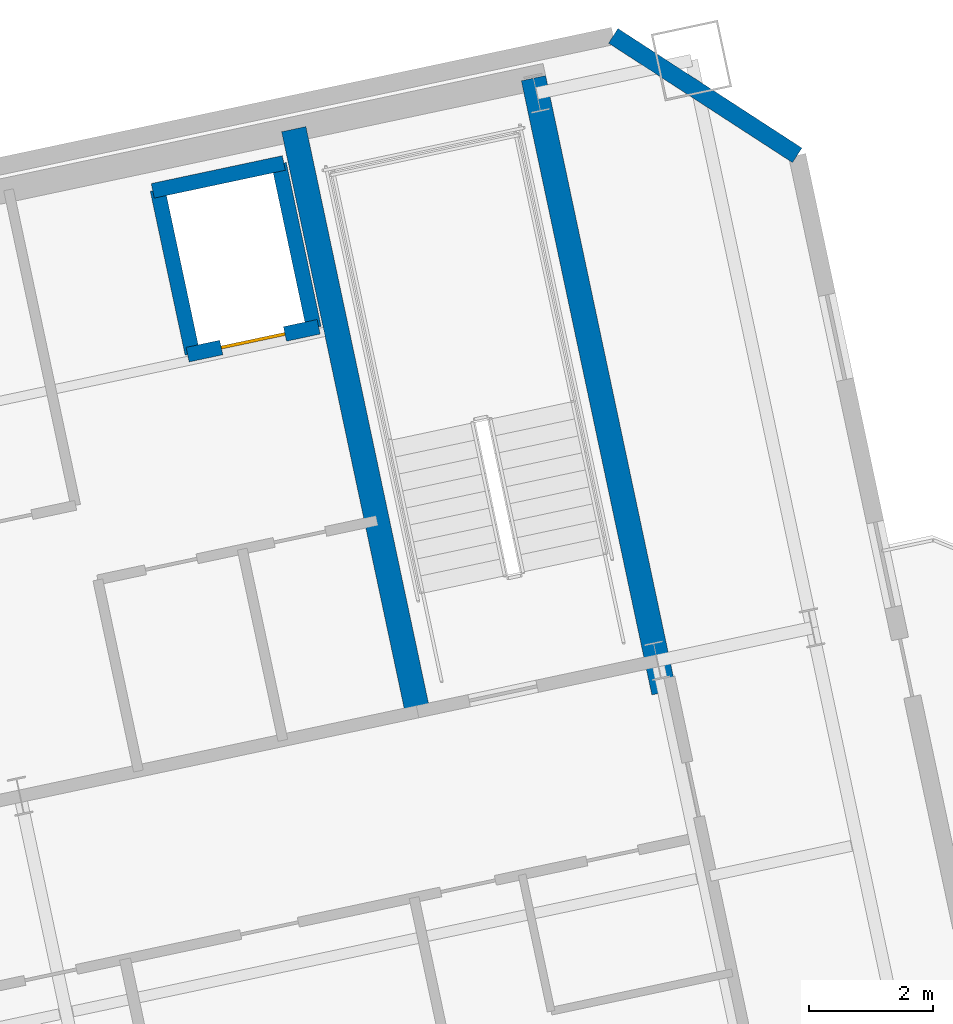
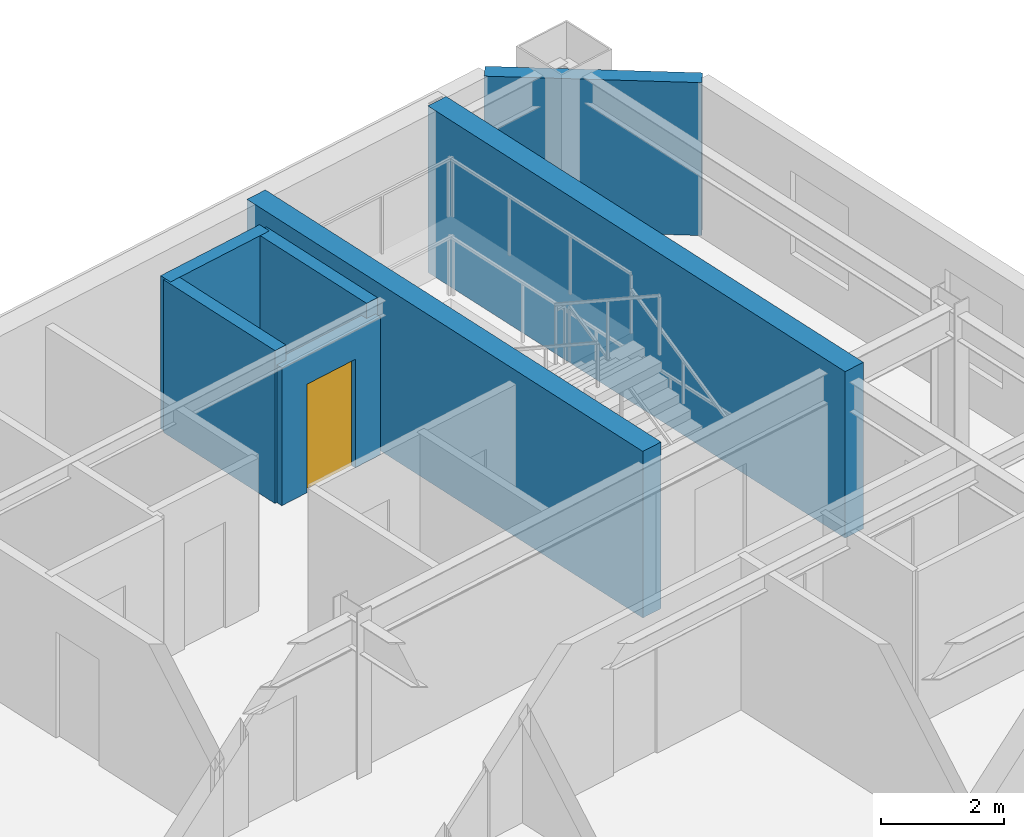
# One storey, part 9 of 14: 7 walls, 1 door, 1 opening.
"""IFC4 building model written with IfcOpenShell, lengths in metres."""

from ifc_helpers import new_model, si_unit, direction, frame, frame_2d, origin, place, context, subcontext, project, spatial, rectangle, extrude, material, layer, layer_set, type_object, element, fill, save


model = new_model("IFC4")

# Units and contexts
model_context = context("Model", 3, precision=1e-05, world=origin(), true_north=direction((0.0, 1.0)))
body_context = subcontext(model_context, "Body", "Model", "MODEL_VIEW")
ifc_project = project(units=[si_unit("LENGTHUNIT", "METRE"), si_unit("AREAUNIT", "SQUARE_METRE"), si_unit("VOLUMEUNIT", "CUBIC_METRE"), si_unit("PLANEANGLEUNIT", "RADIAN"), si_unit("MASSUNIT", "GRAM", prefix="KILO")], contexts=[model_context])

# Site, building, storey
site_placement = place(None, origin())
site = spatial("IfcSite", under=ifc_project, at=site_placement, CompositionType="ELEMENT")
building_placement = place(site_placement, origin())
building = spatial("IfcBuilding", under=site, at=building_placement, Name="Haevon Station Towers", CompositionType="ELEMENT")
storey_placement = place(building_placement, frame((0.0, 0.0, 228.60009765625)))
storey = spatial("IfcBuildingStorey", under=building, at=storey_placement, Name="L63", CompositionType="ELEMENT", Elevation=228.60009765625)

# Walls
ifc_material_1 = material(Name="Concrete C60/75", Category="concrete")
ifc_layer_1 = layer(ifc_material_1, 0.39990234375)
ifc_layer_set_1 = layer_set([ifc_layer_1], Name="Concrete C60/75")
wall_type_1 = type_object("IfcWallType", Name="WL-CR400", PredefinedType="SHEAR", material=ifc_layer_set_1)
wall_1_placement = place(storey_placement, frame((119.401611328125, 41.2998046875, 0.0), z_axis=(0.0, 0.0, 1.0), x_axis=(-0.207904342798, 0.978149162575, 0.0)))
element("IfcWall", 1, at=wall_1_placement, inside=storey, type_object=wall_type_1, Name="WL-T2CR-L63-E", PredefinedType="SHEAR", context=body_context, shape_type="SweptSolid", body=[
    extrude(rectangle(XDim=10.1201171875, YDim=0.39990234375, at=frame_2d((5.06005859375, 0.0))), origin(), (0.0, 0.0, 1.0), 3.2998046875),
])
wall_2_placement = place(storey_placement, frame((115.4296875, 40.9873046875, 0.0), z_axis=(0.0, 0.0, 1.0), x_axis=(-0.207903162969, 0.978149413345, 0.0)))
element("IfcWall", 2, at=wall_2_placement, inside=storey, type_object=wall_type_1, Name="WL-T2CR-L63-M2", PredefinedType="SHEAR", context=body_context, shape_type="SweptSolid", body=[
    extrude(rectangle(XDim=9.599853515625, YDim=0.39990234375, at=frame_2d((4.7998046875, 0.0))), origin(), (0.0, 0.0, 1.0), 3.2998046875),
])
ifc_material_2 = material(Name="Precast concrete C45/55", Category="concrete")
ifc_layer_2 = layer(ifc_material_2, 0.280029296875)
ifc_layer_set_2 = layer_set([ifc_layer_2], Name="Precast concrete C45/55")
wall_type_2 = type_object("IfcWallType", Name="WL-EXT-PIER280", PredefinedType="SOLIDWALL", material=ifc_layer_set_2)
wall_3_placement = place(storey_placement, frame((118.583740234375, 51.881103515625, 0.0), z_axis=(0.0, 0.0, 1.0), x_axis=(0.838672309694, -0.544636352948, 0.0)))
element("IfcWall", 3, at=wall_3_placement, inside=storey, type_object=wall_type_2, Name="WL-T2-L63-NEC", PredefinedType="SOLIDWALL", context=body_context, shape_type="SweptSolid", body=[
    extrude(rectangle(XDim=3.535400390625, YDim=0.280029296875, at=frame_2d((1.767578125, 0.0))), origin(), (0.0, 0.0, 1.0), 3.02978515625),
])

# Wall, opening, door
ifc_material_3 = material(Name="Concrete C40/50", Category="concrete")
ifc_layer_3 = layer(ifc_material_3, 0.239990234375)
ifc_layer_set_3 = layer_set([ifc_layer_3], Name="Concrete C40/50")
wall_type_3 = type_object("IfcWallType", Name="WL-SHF240", PredefinedType="PARTITIONING", material=ifc_layer_set_3)
wall_4_placement = place(storey_placement, frame((111.72216796875, 46.7421875, 0.0), z_axis=(0.0, 0.0, 1.0), x_axis=(0.97813528961, 0.207969601673, 0.0)))
wall_4 = element("IfcWall", 4, at=wall_4_placement, inside=storey, type_object=wall_type_3, Name="WL-SHF-PL10-L63", PredefinedType="PARTITIONING", context=body_context, shape_type="SweptSolid", body=[
    extrude(rectangle(XDim=2.159912109375, YDim=0.239990234375, at=frame_2d((1.080078125, 0.0))), origin(), (0.0, 0.0, 1.0), 2.72998046875),
])
opening_placement = place(wall_4_placement, frame((0.554931640625, 0.0, 0.0)))
opening = element("IfcOpeningElement", 5, at=opening_placement, cuts=wall_4, Name="Opening LD-PL10-L63", PredefinedType="OPENING", context=body_context, shape_type="SweptSolid", body=[
    extrude(rectangle(XDim=1.050048828125, YDim=2.14990234375, at=frame_2d((0.52490234375, 1.074951171875))), frame((0.0, 0.1298828125, 0.0), z_axis=(0.0, -1.0, 0.0), x_axis=(1.0, 0.0, 0.0)), (0.0, 0.0, 1.0), 0.260009765625),
])
ifc_material_4 = material(Name="Stainless steel and rated core", Category="steel")
door_type = type_object("IfcDoorType", Name="LD-PL1050", OperationType="SLIDING_TO_LEFT", PredefinedType="DOOR", material=ifc_material_4)
door_placement = place(opening_placement, origin())
door = element("IfcDoor", 6, at=door_placement, inside=storey, type_object=door_type, Name="L63 Lift PL10 Sliding Landing Door", OperationType="SLIDING_TO_LEFT", OverallHeight=2.14990234375, OverallWidth=1.050048828125, PredefinedType="DOOR", context=body_context, shape_type="SweptSolid", body=[
    extrude(rectangle(XDim=1.050048828125, YDim=2.14990234375, at=frame_2d((0.52490234375, 1.074951171875))), frame((0.0, 0.02490234375, 0.0), z_axis=(0.0, -1.0, 0.0), x_axis=(1.0, 0.0, 0.0)), (0.0, 0.0, 1.0), 0.050048828125),
])
fill(opening, door)

# Walls
wall_5_placement = place(storey_placement, frame((111.160888671875, 49.38330078125, 0.0), z_axis=(0.0, 0.0, 1.0), x_axis=(0.978158276388, 0.207861459473, 0.0)))
element("IfcWall", 7, at=wall_5_placement, inside=storey, type_object=wall_type_3, Name="WL-SHF-PL10-L63-N", PredefinedType="PARTITIONING", context=body_context, shape_type="SweptSolid", body=[
    extrude(rectangle(XDim=2.159912109375, YDim=0.239990234375, at=frame_2d((1.080078125, 0.0))), origin(), (0.0, 0.0, 1.0), 3.02978515625),
])
for number, where, z_axis, x_axis, name in (
    (8, (111.800537109375, 46.7587890625, 0.0), (0.0, 0.0, 1.0), (-0.207960405185, 0.978137244908, 0.0), "WL-SHF-PL10-L63-W"),
    (9, (113.7568359375, 47.174560546875, 0.0), (0.0, 0.0, 1.0), (-0.207960405185, 0.978137244908, 0.0), "WL-SHF-PL10-L63-E"),
):
    element("IfcWall", number, at=place(storey_placement, frame(where, z_axis=z_axis, x_axis=x_axis)), inside=storey, type_object=wall_type_3, Name=name, PredefinedType="PARTITIONING", context=body_context, shape_type="SweptSolid", body=[
        extrude(rectangle(XDim=2.7001953125, YDim=0.239990234375, at=frame_2d((1.35009765625, 0.0))), origin(), (0.0, 0.0, 1.0), 3.02978515625),
    ])

save(model, "model.ifc")
